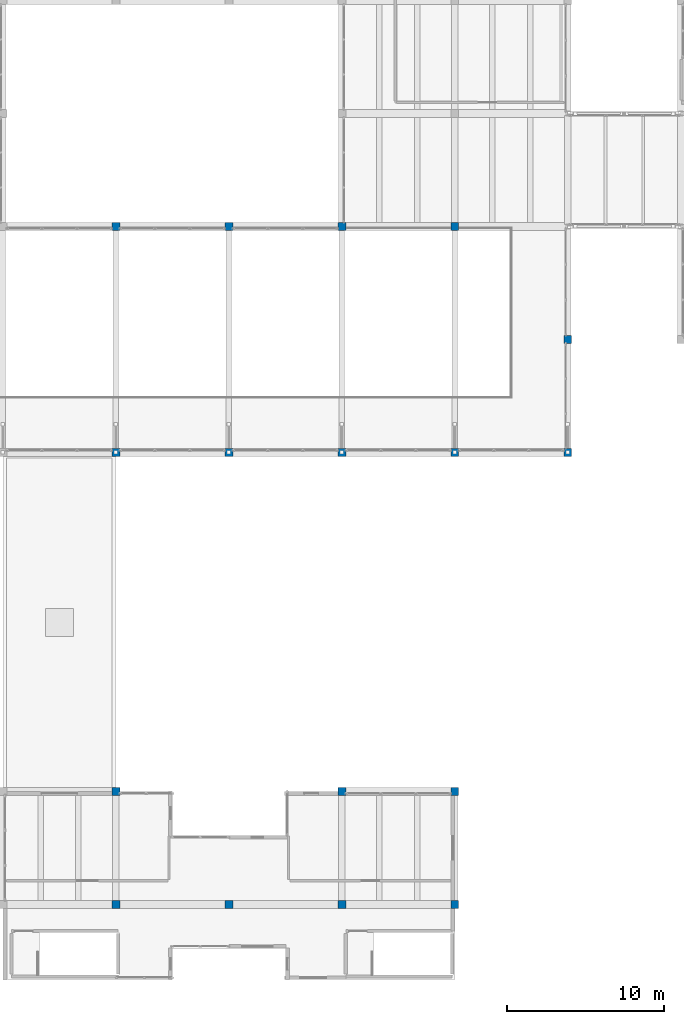
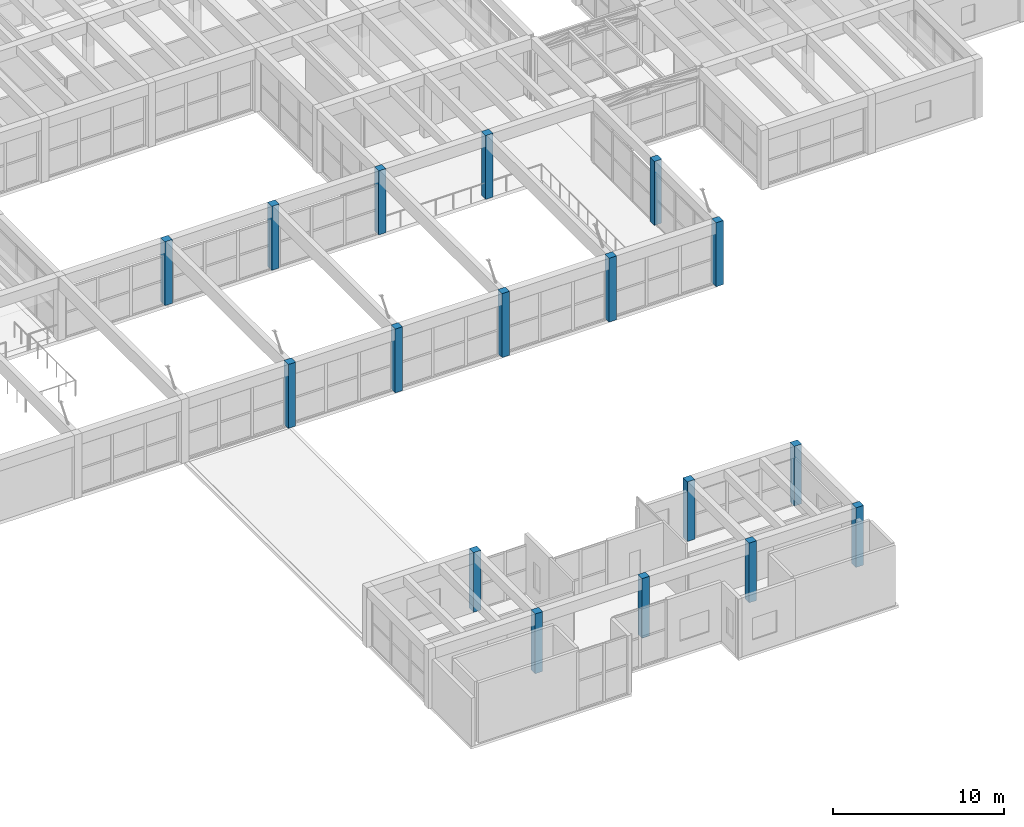
# One storey, part 3 of 153: 17 columns.
"""IFC4 building model written with IfcOpenShell, lengths in metres."""

from ifc_helpers import new_model, si_unit, direction, frame, origin, origin_2d, place, context, subcontext, project, spatial, rectangle, extrude, material, material_profile, profile_set, type_object, element, save


model = new_model("IFC4")

# Units and contexts
model_context = context("Model", 3, precision=1e-05, world=origin(), true_north=direction((0.0, 1.0)))
body_context = subcontext(model_context, "Body", "Model", "MODEL_VIEW")
ifc_project = project(units=[si_unit("LENGTHUNIT", "METRE"), si_unit("AREAUNIT", "SQUARE_METRE"), si_unit("VOLUMEUNIT", "CUBIC_METRE"), si_unit("PLANEANGLEUNIT", "RADIAN"), si_unit("MASSUNIT", "GRAM", prefix="KILO")], contexts=[model_context])

# Site, building, storey
site_placement = place(None, origin())
site = spatial("IfcSite", under=ifc_project, at=site_placement, CompositionType="ELEMENT")
building_placement = place(site_placement, origin())
building = spatial("IfcBuilding", under=site, at=building_placement, Name="Bramvelor Terrace Health Centre", CompositionType="ELEMENT")
storey_placement = place(building_placement, frame((0.0, 0.0, 4.800048828125)))
storey = spatial("IfcBuildingStorey", under=building, at=storey_placement, Name="L02", CompositionType="ELEMENT", Elevation=4.800048828125)

# Columns
ifc_material = material(Name="Concrete C40/50", Category="concrete")
ifc_material_profile = material_profile(ifc_material, rectangle(XDim=0.5, YDim=0.5, at=origin_2d()), Name="RC 500x500")
ifc_profile_set = profile_set([ifc_material_profile], Name="Concrete C40/50")
column_type = type_object("IfcColumnType", Name="COL-RC-500", PredefinedType="COLUMN", material=ifc_profile_set)
for number, where, z_axis, x_axis, name in (
    (1, (64.800048828125, 7.199951171875, 0.0), (0.0, 0.0, 1.0), (1.0, 0.0, 0.0), "L02 Column (64.8, 7.2)"),
    (2, (64.800048828125, 14.39990234375, 0.0), (0.0, 0.0, 1.0), (1.0, 0.0, 0.0), "L02 Column (64.8, 14.4)"),
):
    element("IfcColumn", number, at=place(storey_placement, frame(where, z_axis=z_axis, x_axis=x_axis)), inside=storey, type_object=column_type, Name=name, PredefinedType="COLUMN", context=body_context, shape_type="SweptSolid", body=[
        extrude(rectangle(XDim=0.5, YDim=0.5, at=origin_2d()), origin(), (0.0, 0.0, 1.0), 4.25),
    ])
for number, where, z_axis, x_axis, name in (
    (3, (64.800048828125, 36.0, 0.0), (0.0, 0.0, 1.0), (1.0, 0.0, 0.0), "L02 Column (64.8, 36.0)"),
    (4, (64.800048828125, 50.39990234375, 0.0), (0.0, 0.0, 1.0), (1.0, 0.0, 0.0), "L02 Column (64.8, 50.4)"),
):
    element("IfcColumn", number, at=place(storey_placement, frame(where, z_axis=z_axis, x_axis=x_axis)), inside=storey, type_object=column_type, Name=name, PredefinedType="COLUMN", context=body_context, shape_type="SweptSolid", body=[
        extrude(rectangle(XDim=0.5, YDim=0.5, at=origin_2d()), origin(), (0.0, 0.0, 1.0), 4.550048828125),
    ])
column_placement = place(storey_placement, frame((72.0, 7.199951171875, 0.0), z_axis=(0.0, 0.0, 1.0), x_axis=(1.0, 0.0, 0.0)))
element("IfcColumn", 5, at=column_placement, inside=storey, type_object=column_type, Name="L02 Column (72.0, 7.2)", PredefinedType="COLUMN", context=body_context, shape_type="SweptSolid", body=[
    extrude(rectangle(XDim=0.5, YDim=0.5, at=origin_2d()), origin(), (0.0, 0.0, 1.0), 4.25),
])
for number, where, z_axis, x_axis, name in (
    (6, (72.0, 36.0, 0.0), (0.0, 0.0, 1.0), (1.0, 0.0, 0.0), "L02 Column (72.0, 36.0)"),
    (7, (72.0, 50.39990234375, 0.0), (0.0, 0.0, 1.0), (1.0, 0.0, 0.0), "L02 Column (72.0, 50.4)"),
):
    element("IfcColumn", number, at=place(storey_placement, frame(where, z_axis=z_axis, x_axis=x_axis)), inside=storey, type_object=column_type, Name=name, PredefinedType="COLUMN", context=body_context, shape_type="SweptSolid", body=[
        extrude(rectangle(XDim=0.5, YDim=0.5, at=origin_2d()), origin(), (0.0, 0.0, 1.0), 4.550048828125),
    ])
for number, where, z_axis, x_axis, name in (
    (8, (79.199951171875, 7.199951171875, 0.0), (0.0, 0.0, 1.0), (1.0, 0.0, 0.0), "L02 Column (79.2, 7.2)"),
    (9, (79.199951171875, 14.39990234375, 0.0), (0.0, 0.0, 1.0), (1.0, 0.0, 0.0), "L02 Column (79.2, 14.4)"),
):
    element("IfcColumn", number, at=place(storey_placement, frame(where, z_axis=z_axis, x_axis=x_axis)), inside=storey, type_object=column_type, Name=name, PredefinedType="COLUMN", context=body_context, shape_type="SweptSolid", body=[
        extrude(rectangle(XDim=0.5, YDim=0.5, at=origin_2d()), origin(), (0.0, 0.0, 1.0), 4.25),
    ])
for number, where, z_axis, x_axis, name in (
    (10, (79.199951171875, 36.0, 0.0), (0.0, 0.0, 1.0), (1.0, 0.0, 0.0), "L02 Column (79.2, 36.0)"),
    (11, (79.199951171875, 50.39990234375, 0.0), (0.0, 0.0, 1.0), (1.0, 0.0, 0.0), "L02 Column (79.2, 50.4)"),
):
    element("IfcColumn", number, at=place(storey_placement, frame(where, z_axis=z_axis, x_axis=x_axis)), inside=storey, type_object=column_type, Name=name, PredefinedType="COLUMN", context=body_context, shape_type="SweptSolid", body=[
        extrude(rectangle(XDim=0.5, YDim=0.5, at=origin_2d()), origin(), (0.0, 0.0, 1.0), 4.550048828125),
    ])
for number, where, z_axis, x_axis, name in (
    (12, (86.39990234375, 7.199951171875, 0.0), (0.0, 0.0, 1.0), (1.0, 0.0, 0.0), "L02 Column (86.4, 7.2)"),
    (13, (86.39990234375, 14.39990234375, 0.0), (0.0, 0.0, 1.0), (1.0, 0.0, 0.0), "L02 Column (86.4, 14.4)"),
):
    element("IfcColumn", number, at=place(storey_placement, frame(where, z_axis=z_axis, x_axis=x_axis)), inside=storey, type_object=column_type, Name=name, PredefinedType="COLUMN", context=body_context, shape_type="SweptSolid", body=[
        extrude(rectangle(XDim=0.5, YDim=0.5, at=origin_2d()), origin(), (0.0, 0.0, 1.0), 4.25),
    ])
for number, where, z_axis, x_axis, name in (
    (14, (86.39990234375, 36.0, 0.0), (0.0, 0.0, 1.0), (1.0, 0.0, 0.0), "L02 Column (86.4, 36.0)"),
    (15, (86.39990234375, 50.39990234375, 0.0), (0.0, 0.0, 1.0), (1.0, 0.0, 0.0), "L02 Column (86.4, 50.4)"),
    (16, (93.60009765625, 36.0, 0.0), (0.0, 0.0, 1.0), (1.0, 0.0, 0.0), "L02 Column (93.6, 36.0)"),
    (17, (93.60009765625, 43.199951171875, 0.0), (0.0, 0.0, 1.0), (1.0, 0.0, 0.0), "L02 Column (93.6, 43.2)"),
):
    element("IfcColumn", number, at=place(storey_placement, frame(where, z_axis=z_axis, x_axis=x_axis)), inside=storey, type_object=column_type, Name=name, PredefinedType="COLUMN", context=body_context, shape_type="SweptSolid", body=[
        extrude(rectangle(XDim=0.5, YDim=0.5, at=origin_2d()), origin(), (0.0, 0.0, 1.0), 4.550048828125),
    ])

save(model, "model.ifc")
